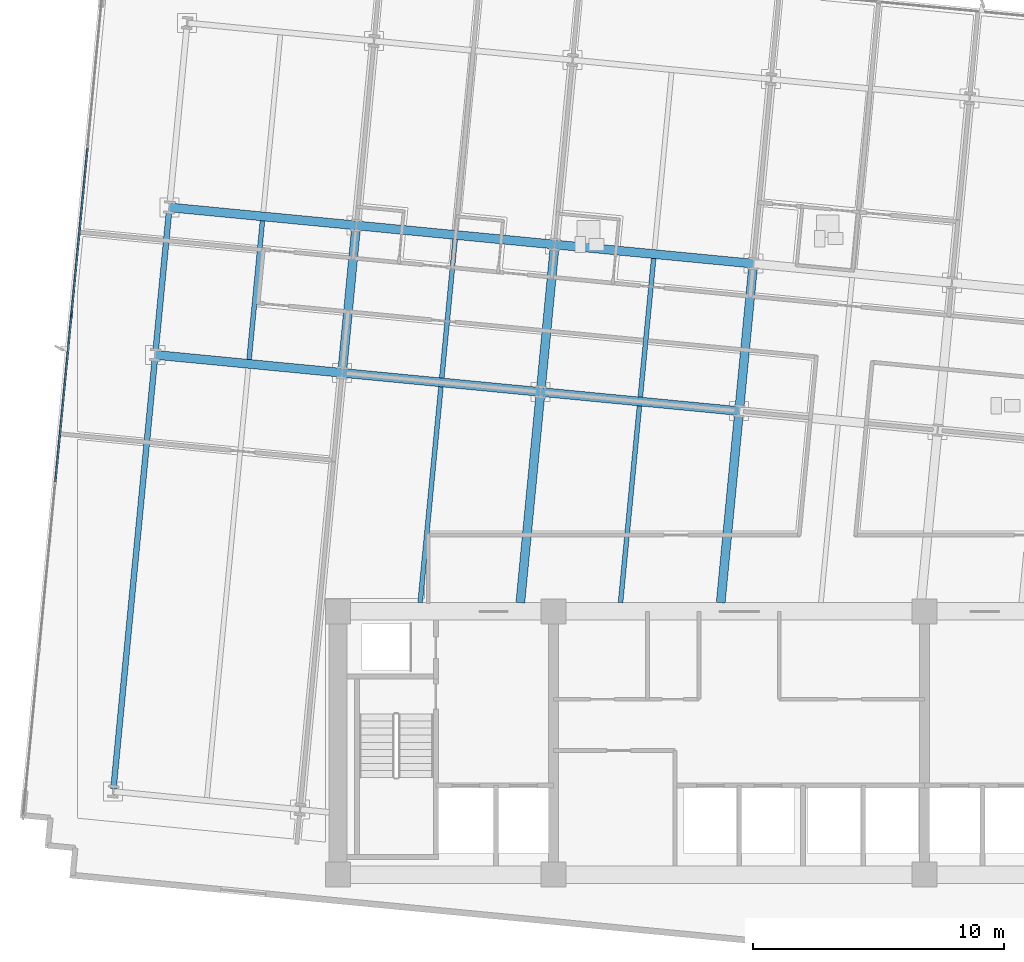
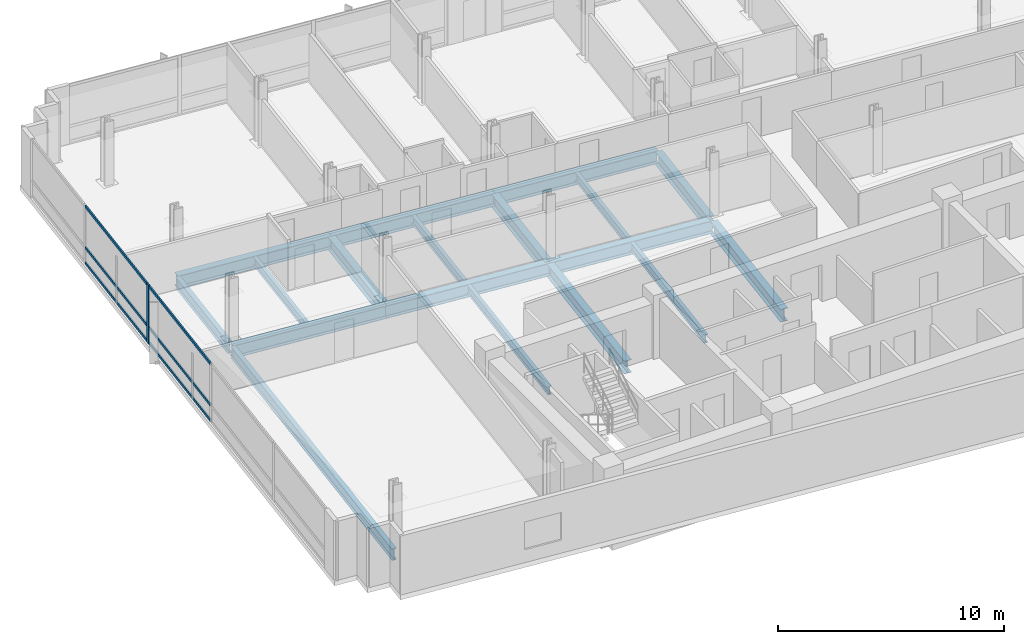
# One storey, part 4 of 17: 18 beams, 7 members, 1 element without a shape of its own.
"""IFC4 building model written with IfcOpenShell, lengths in metres."""

from ifc_helpers import new_model, si_unit, direction, frame, origin, origin_2d, place, context, subcontext, project, spatial, rectangle, i_section, extrude, material, material_profile, profile_set, type_object, element, aggregate, save


model = new_model("IFC4")

# Units and contexts
model_context = context("Model", 3, precision=1e-05, world=origin(), true_north=direction((0.0, 1.0)))
body_context = subcontext(model_context, "Body", "Model", "MODEL_VIEW")
ifc_project = project(units=[si_unit("LENGTHUNIT", "METRE"), si_unit("AREAUNIT", "SQUARE_METRE"), si_unit("VOLUMEUNIT", "CUBIC_METRE"), si_unit("PLANEANGLEUNIT", "RADIAN"), si_unit("MASSUNIT", "GRAM", prefix="KILO")], contexts=[model_context])

# Site, building, storey
site_placement = place(None, origin())
site = spatial("IfcSite", under=ifc_project, at=site_placement, CompositionType="ELEMENT")
building_placement = place(site_placement, origin())
building = spatial("IfcBuilding", under=site, at=building_placement, Name="Solmavex Isthmus Hotel", CompositionType="ELEMENT")
storey_placement = place(building_placement, frame((0.0, 0.0, 156.60009765625)))
storey = spatial("IfcBuildingStorey", under=building, at=storey_placement, Name="L42", CompositionType="ELEMENT", Elevation=156.60009765625)

# Beams
ifc_material_1 = material(Name="Steel ASTM A992 Grade 50", Category="steel")
ifc_material_profile_1 = material_profile(ifc_material_1, i_section(OverallWidth=0.354736328125, OverallDepth=0.695556640625, WebThickness=0.015380859375, FlangeThickness=0.02490234375, FilletRadius=0.017822265625, at=origin_2d()), Name="W27X146")
ifc_profile_set_1 = profile_set([ifc_material_profile_1], Name="Steel ASTM A992 Grade 50")
beam_type_1 = type_object("IfcBeamType", Name="BM-BG-W27X146", PredefinedType="BEAM", material=ifc_profile_set_1)
beam_1_placement = place(storey_placement, frame((-23.291015625, 7.733154296875, -0.60791015625), z_axis=(0.995395279593, -0.095855293875, 0.0), x_axis=(0.095855293875, 0.995395279593, 0.0)))
element("IfcBeam", 1, at=beam_1_placement, inside=storey, type_object=beam_type_1, Name="Floor Girder L42-UG03", PredefinedType="BEAM", context=body_context, shape_type="SweptSolid", body=[
    extrude(i_section(OverallWidth=0.354736328125, OverallDepth=0.695556640625, WebThickness=0.015380859375, FlangeThickness=0.02490234375, FilletRadius=0.017822265625, at=origin_2d()), origin(), (0.0, 0.0, 1.0), 7.488037109375),
])
beam_2_placement = place(storey_placement, frame((-15.83740234375, 7.015380859375, -0.60791015625), z_axis=(0.995397158178, -0.095835783981, 0.0), x_axis=(0.095835783981, 0.995397158178, 0.0)))
element("IfcBeam", 2, at=beam_2_placement, inside=storey, type_object=beam_type_1, Name="Floor Girder L42-UG04", PredefinedType="BEAM", context=body_context, shape_type="SweptSolid", body=[
    extrude(i_section(OverallWidth=0.354736328125, OverallDepth=0.695556640625, WebThickness=0.015380859375, FlangeThickness=0.02490234375, FilletRadius=0.017822265625, at=origin_2d()), origin(), (0.0, 0.0, 1.0), 7.955810546875),
])
beam_3_placement = place(storey_placement, frame((-7.918212890625, 6.2529296875, -0.60791015625), z_axis=(0.995394512348, -0.095863260885, 0.0), x_axis=(0.095863260885, 0.995394512348, 0.0)))
element("IfcBeam", 3, at=beam_3_placement, inside=storey, type_object=beam_type_1, Name="Floor Girder L42-UG05", PredefinedType="BEAM", context=body_context, shape_type="SweptSolid", body=[
    extrude(i_section(OverallWidth=0.354736328125, OverallDepth=0.695556640625, WebThickness=0.015380859375, FlangeThickness=0.02490234375, FilletRadius=0.017822265625, at=origin_2d()), origin(), (0.0, 0.0, 1.0), 7.9560546875),
])
beam_4_placement = place(storey_placement, frame((-22.724853515625, 13.614013671875, -0.60791015625), z_axis=(0.995395279593, -0.095855293875, 0.0), x_axis=(0.095855293875, 0.995395279593, 0.0)))
element("IfcBeam", 4, at=beam_4_placement, inside=storey, type_object=beam_type_1, Name="Floor Girder L42-UG09", PredefinedType="BEAM", context=body_context, shape_type="SweptSolid", body=[
    extrude(i_section(OverallWidth=0.354736328125, OverallDepth=0.695556640625, WebThickness=0.015380859375, FlangeThickness=0.02490234375, FilletRadius=0.017822265625, at=origin_2d()), origin(), (0.0, 0.0, 1.0), 7.488037109375),
])
for number, where, z_axis, x_axis, name in (
    (5, (-15.271240234375, 12.896240234375, -0.60791015625), (0.995397440011, -0.095832856685, 0.0), (0.095832856685, 0.995397440011, 0.0), "Floor Girder L42-UG10"),
    (6, (-7.351806640625, 12.1337890625, -0.60791015625), (0.995394512348, -0.095863260885, 0.0), (0.095863260885, 0.995394512348, 0.0), "Floor Girder L42-UG11"),
):
    element("IfcBeam", number, at=place(storey_placement, frame(where, z_axis=z_axis, x_axis=x_axis)), inside=storey, type_object=beam_type_1, Name=name, PredefinedType="BEAM", context=body_context, shape_type="SweptSolid", body=[
        extrude(i_section(OverallWidth=0.354736328125, OverallDepth=0.695556640625, WebThickness=0.015380859375, FlangeThickness=0.02490234375, FilletRadius=0.017822265625, at=origin_2d()), origin(), (0.0, 0.0, 1.0), 7.9560546875),
    ])
beam_5_placement = place(storey_placement, frame((-15.820556640625, 7.19189453125, -0.60791015625), z_axis=(0.095838058801, 0.995396939158, 0.0), x_axis=(-0.995396939158, 0.095838058801, 0.0)))
element("IfcBeam", 7, at=beam_5_placement, inside=storey, type_object=beam_type_1, Name="Floor Beam L42-VG25", PredefinedType="BEAM", context=body_context, shape_type="SweptSolid", body=[
    extrude(i_section(OverallWidth=0.354736328125, OverallDepth=0.695556640625, WebThickness=0.015380859375, FlangeThickness=0.02490234375, FilletRadius=0.017822265625, at=origin_2d()), origin(), (0.0, 0.0, 1.0), 5.553466796875),
])
beam_6_placement = place(storey_placement, frame((-8.727294921875, -2.14990234375, -0.60791015625), z_axis=(0.095861573524, 0.995394674851, 0.0), x_axis=(-0.995394674851, 0.095861573524, 0.0)))
element("IfcBeam", 8, at=beam_6_placement, inside=storey, type_object=beam_type_1, Name="Floor Beam L42-VG27", PredefinedType="BEAM", context=body_context, shape_type="SweptSolid", body=[
    extrude(i_section(OverallWidth=0.354736328125, OverallDepth=0.695556640625, WebThickness=0.015380859375, FlangeThickness=0.02490234375, FilletRadius=0.017822265625, at=origin_2d()), origin(), (0.0, 0.0, 1.0), 8.264404296875),
])
beam_7_placement = place(storey_placement, frame((-7.901123046875, 6.429443359375, -0.60791015625), z_axis=(0.095842252862, 0.99539653534, 0.0), x_axis=(-0.99539653534, 0.095842252862, 0.0)))
element("IfcBeam", 9, at=beam_7_placement, inside=storey, type_object=beam_type_1, Name="Floor Beam L42-VG28", PredefinedType="BEAM", context=body_context, shape_type="SweptSolid", body=[
    extrude(i_section(OverallWidth=0.354736328125, OverallDepth=0.695556640625, WebThickness=0.015380859375, FlangeThickness=0.02490234375, FilletRadius=0.017822265625, at=origin_2d()), origin(), (0.0, 0.0, 1.0), 5.55322265625),
])
beam_8_placement = place(storey_placement, frame((-0.734375, -2.14990234375, -0.60791015625), z_axis=(0.095856963455, 0.995395118813, 0.0), x_axis=(-0.995395118813, 0.095856963455, 0.0)))
element("IfcBeam", 10, at=beam_8_placement, inside=storey, type_object=beam_type_1, Name="Floor Beam L42-VG30", PredefinedType="BEAM", context=body_context, shape_type="SweptSolid", body=[
    extrude(i_section(OverallWidth=0.354736328125, OverallDepth=0.695556640625, WebThickness=0.015380859375, FlangeThickness=0.02490234375, FilletRadius=0.017822265625, at=origin_2d()), origin(), (0.0, 0.0, 1.0), 7.498046875),
])
beam_9_placement = place(storey_placement, frame((0.018310546875, 5.6669921875, -0.60791015625), z_axis=(0.095842252862, 0.99539653534, 0.0), x_axis=(-0.99539653534, 0.095842252862, 0.0)))
element("IfcBeam", 11, at=beam_9_placement, inside=storey, type_object=beam_type_1, Name="Floor Beam L42-VG31", PredefinedType="BEAM", context=body_context, shape_type="SweptSolid", body=[
    extrude(i_section(OverallWidth=0.354736328125, OverallDepth=0.695556640625, WebThickness=0.015380859375, FlangeThickness=0.02490234375, FilletRadius=0.017822265625, at=origin_2d()), origin(), (0.0, 0.0, 1.0), 5.55322265625),
])
ifc_material_profile_2 = material_profile(ifc_material_1, i_section(OverallWidth=0.1904296875, OverallDepth=0.456787109375, WebThickness=0.009033203125, FlangeThickness=0.014404296875, FilletRadius=0.0126953125, at=origin_2d()), Name="W18X50")
ifc_profile_set_2 = profile_set([ifc_material_profile_2], Name="Steel ASTM A992 Grade 50")
beam_type_2 = type_object("IfcBeamType", Name="BM-BJ-W18X50", PredefinedType="JOIST", material=ifc_profile_set_2)
beam_10_placement = place(storey_placement, frame((-19.547119140625, 7.55078125, -0.488525390625), z_axis=(0.095842252862, 0.99539653534, 0.0), x_axis=(-0.99539653534, 0.095842252862, 0.0)))
element("IfcBeam", 12, at=beam_10_placement, inside=storey, type_object=beam_type_2, Name="Secondary Floor Joist L42-J02", PredefinedType="JOIST", context=body_context, shape_type="SweptSolid", body=[
    extrude(i_section(OverallWidth=0.1904296875, OverallDepth=0.456787109375, WebThickness=0.009033203125, FlangeThickness=0.014404296875, FilletRadius=0.0126953125, at=origin_2d()), origin(), (0.0, 0.0, 1.0), 5.55322265625),
])
beam_11_placement = place(storey_placement, frame((-12.7236328125, -2.14990234375, -0.488525390625), z_axis=(0.095852279322, 0.995395569886, 0.0), x_axis=(-0.995395569886, 0.095852279322, 0.0)))
element("IfcBeam", 13, at=beam_11_placement, inside=storey, type_object=beam_type_2, Name="Secondary Floor Joist L42-J04", PredefinedType="JOIST", context=body_context, shape_type="SweptSolid", body=[
    extrude(i_section(OverallWidth=0.1904296875, OverallDepth=0.456787109375, WebThickness=0.009033203125, FlangeThickness=0.014404296875, FilletRadius=0.0126953125, at=origin_2d()), origin(), (0.0, 0.0, 1.0), 8.647216796875),
])
beam_12_placement = place(storey_placement, frame((-11.86083984375, 6.810791015625, -0.488525390625), z_axis=(0.095842252862, 0.99539653534, 0.0), x_axis=(-0.99539653534, 0.095842252862, 0.0)))
element("IfcBeam", 14, at=beam_12_placement, inside=storey, type_object=beam_type_2, Name="Secondary Floor Joist L42-J05", PredefinedType="JOIST", context=body_context, shape_type="SweptSolid", body=[
    extrude(i_section(OverallWidth=0.1904296875, OverallDepth=0.456787109375, WebThickness=0.009033203125, FlangeThickness=0.014404296875, FilletRadius=0.0126953125, at=origin_2d()), origin(), (0.0, 0.0, 1.0), 5.55322265625),
])
beam_13_placement = place(storey_placement, frame((-4.730712890625, -2.14990234375, -0.488525390625), z_axis=(0.09584403416, 0.995396363825, 0.0), x_axis=(-0.995396363825, 0.09584403416, 0.0)))
element("IfcBeam", 15, at=beam_13_placement, inside=storey, type_object=beam_type_2, Name="Secondary Floor Joist L42-J07", PredefinedType="JOIST", context=body_context, shape_type="SweptSolid", body=[
    extrude(i_section(OverallWidth=0.1904296875, OverallDepth=0.456787109375, WebThickness=0.009033203125, FlangeThickness=0.014404296875, FilletRadius=0.0126953125, at=origin_2d()), origin(), (0.0, 0.0, 1.0), 7.88134765625),
])
beam_14_placement = place(storey_placement, frame((-3.94140625, 6.048095703125, -0.488525390625), z_axis=(0.095838058801, 0.995396939158, 0.0), x_axis=(-0.995396939158, 0.095838058801, 0.0)))
element("IfcBeam", 16, at=beam_14_placement, inside=storey, type_object=beam_type_2, Name="Secondary Floor Joist L42-J08", PredefinedType="JOIST", context=body_context, shape_type="SweptSolid", body=[
    extrude(i_section(OverallWidth=0.1904296875, OverallDepth=0.456787109375, WebThickness=0.009033203125, FlangeThickness=0.014404296875, FilletRadius=0.0126953125, at=origin_2d()), origin(), (0.0, 0.0, 1.0), 5.553466796875),
])
ifc_material_profile_3 = material_profile(ifc_material_1, i_section(OverallWidth=0.230224609375, OverallDepth=0.617431640625, WebThickness=0.01318359375, FlangeThickness=0.022216796875, FilletRadius=0.01513671875, at=origin_2d()), Name="W24X94")
ifc_profile_set_3 = profile_set([ifc_material_profile_3], Name="Steel ASTM A992 Grade 50")
beam_type_3 = type_object("IfcBeamType", Name="BM-SP-W24X94", PredefinedType="SPANDREL", material=ifc_profile_set_3)
beam_15_placement = place(storey_placement, frame((-24.957275390625, -9.571533203125, -0.56884765625), z_axis=(0.095840821687, 0.99539667314, 0.0), x_axis=(-0.99539667314, 0.095840821687, 0.0)))
element("IfcBeam", 17, at=beam_15_placement, inside=storey, type_object=beam_type_3, Name="Floor Beam L42-VG21", PredefinedType="SPANDREL", context=body_context, shape_type="SweptSolid", body=[
    extrude(i_section(OverallWidth=0.230224609375, OverallDepth=0.617431640625, WebThickness=0.01318359375, FlangeThickness=0.022216796875, FilletRadius=0.01513671875, at=origin_2d()), origin(), (0.0, 0.0, 1.0), 17.207275390625),
])
beam_16_placement = place(storey_placement, frame((-23.27392578125, 7.90966796875, -0.56884765625), z_axis=(0.095842252862, 0.99539653534, 0.0), x_axis=(-0.99539653534, 0.095842252862, 0.0)))
element("IfcBeam", 18, at=beam_16_placement, inside=storey, type_object=beam_type_3, Name="Floor Beam L42-VG22", PredefinedType="SPANDREL", context=body_context, shape_type="SweptSolid", body=[
    extrude(i_section(OverallWidth=0.230224609375, OverallDepth=0.617431640625, WebThickness=0.01318359375, FlangeThickness=0.022216796875, FilletRadius=0.01513671875, at=origin_2d()), origin(), (0.0, 0.0, 1.0), 5.55322265625),
])

# Curtain wall, members
ifc_material_2 = material(Name="Aluminium alloy 6063-T6", Category="aluminium")
curtain_wall_type = type_object("IfcCurtainWallType", Name="CW-SYS-03", PredefinedType="NOTDEFINED", material=ifc_material_2)
curtain_wall_placement = place(storey_placement, origin())
curtain_wall = element("IfcCurtainWall", 19, at=curtain_wall_placement, inside=storey, type_object=curtain_wall_type, Name="Stick Curtain Wall CWL-L42-W1", PredefinedType="NOTDEFINED")
ifc_material_profile_4 = material_profile(ifc_material_2, rectangle(XDim=0.070068359375, YDim=0.179931640625, at=origin_2d()), Name="CWM-70X180")
ifc_profile_set_4 = profile_set([ifc_material_profile_4], Name="Aluminium alloy 6063-T6")
member_type_1 = type_object("IfcMemberType", Name="CW-SYS-03-MUL", PredefinedType="MULLION", material=ifc_profile_set_4)
member_1_placement = place(storey_placement, frame((-26.63427734375, 9.32080078125, 0.0), z_axis=(0.0, 0.0, 1.0), x_axis=(-0.995396190038, 0.09584583902, 0.0)))
member_1 = element("IfcMember", 20, at=member_1_placement, type_object=member_type_1, Name="CW-03 mullion 4", PredefinedType="MULLION", context=body_context, shape_type="SweptSolid", body=[
    extrude(rectangle(XDim=0.070068359375, YDim=0.179931640625, at=origin_2d()), origin(), (0.0, 0.0, 1.0), 3.18994140625),
])
ifc_material_profile_5 = material_profile(ifc_material_2, rectangle(XDim=0.070068359375, YDim=0.139892578125, at=origin_2d()), Name="CWT-70X140")
ifc_profile_set_5 = profile_set([ifc_material_profile_5], Name="Aluminium alloy 6063-T6")
member_type_2 = type_object("IfcMemberType", Name="CW-SYS-03-TRN", PredefinedType="USERDEFINED", material=ifc_profile_set_5)
member_2_placement = place(storey_placement, frame((-27.27490234375, 2.666748046875, 0.06982421875), z_axis=(0.095857212138, 0.995395094865, 0.0), x_axis=(-0.995395094865, 0.095857212138, 0.0)))
member_2 = element("IfcMember", 21, at=member_2_placement, type_object=member_type_2, Name="CW-03 transom 3.1", ObjectType="TRANSOM", PredefinedType="USERDEFINED", context=body_context, shape_type="SweptSolid", body=[
    extrude(rectangle(XDim=0.070068359375, YDim=0.139892578125, at=origin_2d()), origin(), (0.0, 0.0, 1.0), 6.64990234375),
])
member_3_placement = place(storey_placement, frame((-27.27490234375, 2.666748046875, 0.89990234375), z_axis=(0.095857212138, 0.995395094865, 0.0), x_axis=(-0.995395094865, 0.095857212138, 0.0)))
member_3 = element("IfcMember", 22, at=member_3_placement, type_object=member_type_2, Name="CW-03 transom 3.2", ObjectType="TRANSOM", PredefinedType="USERDEFINED", context=body_context, shape_type="SweptSolid", body=[
    extrude(rectangle(XDim=0.070068359375, YDim=0.139892578125, at=origin_2d()), origin(), (0.0, 0.0, 1.0), 6.64990234375),
])
member_4_placement = place(storey_placement, frame((-27.27490234375, 2.666748046875, 3.119873046875), z_axis=(0.095857212138, 0.995395094865, 0.0), x_axis=(-0.995395094865, 0.095857212138, 0.0)))
member_4 = element("IfcMember", 23, at=member_4_placement, type_object=member_type_2, Name="CW-03 transom 3.3", ObjectType="TRANSOM", PredefinedType="USERDEFINED", context=body_context, shape_type="SweptSolid", body=[
    extrude(rectangle(XDim=0.070068359375, YDim=0.139892578125, at=origin_2d()), origin(), (0.0, 0.0, 1.0), 6.64990234375),
])
member_5_placement = place(storey_placement, frame((-26.630859375, 9.355712890625, 0.06982421875), z_axis=(0.095857212138, 0.995395094865, 0.0), x_axis=(-0.995395094865, 0.095857212138, 0.0)))
member_5 = element("IfcMember", 24, at=member_5_placement, type_object=member_type_2, Name="CW-03 transom 4.1", ObjectType="TRANSOM", PredefinedType="USERDEFINED", context=body_context, shape_type="SweptSolid", body=[
    extrude(rectangle(XDim=0.070068359375, YDim=0.139892578125, at=origin_2d()), origin(), (0.0, 0.0, 1.0), 6.64990234375),
])
member_6_placement = place(storey_placement, frame((-26.630859375, 9.355712890625, 0.89990234375), z_axis=(0.095857212138, 0.995395094865, 0.0), x_axis=(-0.995395094865, 0.095857212138, 0.0)))
member_6 = element("IfcMember", 25, at=member_6_placement, type_object=member_type_2, Name="CW-03 transom 4.2", ObjectType="TRANSOM", PredefinedType="USERDEFINED", context=body_context, shape_type="SweptSolid", body=[
    extrude(rectangle(XDim=0.070068359375, YDim=0.139892578125, at=origin_2d()), origin(), (0.0, 0.0, 1.0), 6.64990234375),
])
member_7_placement = place(storey_placement, frame((-26.630859375, 9.355712890625, 3.119873046875), z_axis=(0.095857212138, 0.995395094865, 0.0), x_axis=(-0.995395094865, 0.095857212138, 0.0)))
member_7 = element("IfcMember", 26, at=member_7_placement, type_object=member_type_2, Name="CW-03 transom 4.3", ObjectType="TRANSOM", PredefinedType="USERDEFINED", context=body_context, shape_type="SweptSolid", body=[
    extrude(rectangle(XDim=0.070068359375, YDim=0.139892578125, at=origin_2d()), origin(), (0.0, 0.0, 1.0), 6.64990234375),
])
aggregate(curtain_wall, [member_1, member_2, member_3, member_4, member_5, member_6, member_7])

save(model, "model.ifc")
